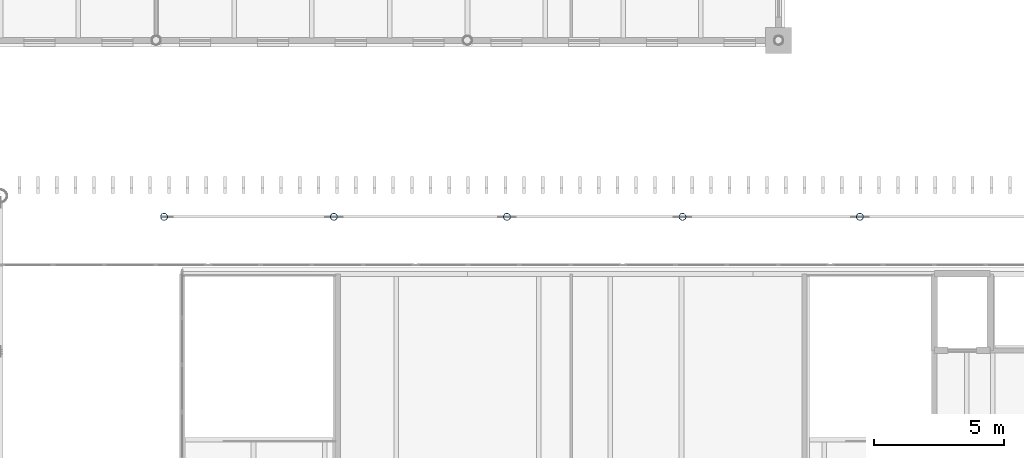
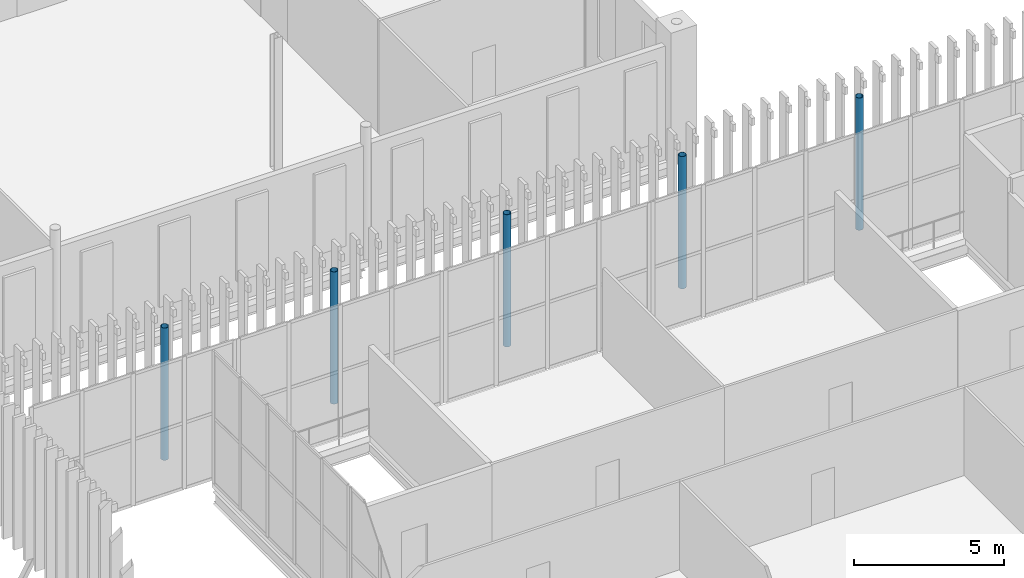
# One storey, part 19 of 170: 5 columns.
"""IFC4 building model written with IfcOpenShell, lengths in metres."""

from ifc_helpers import new_model, si_unit, direction, frame, origin, origin_2d, place, context, subcontext, project, spatial, hollow_circle, extrude, material, material_profile, profile_set, type_object, element, save


model = new_model("IFC4")

# Units and contexts
model_context = context("Model", 3, precision=1e-05, world=origin(), true_north=direction((0.0, 1.0)))
body_context = subcontext(model_context, "Body", "Model", "MODEL_VIEW")
ifc_project = project(units=[si_unit("LENGTHUNIT", "METRE"), si_unit("AREAUNIT", "SQUARE_METRE"), si_unit("VOLUMEUNIT", "CUBIC_METRE"), si_unit("PLANEANGLEUNIT", "RADIAN"), si_unit("MASSUNIT", "GRAM", prefix="KILO")], contexts=[model_context])

# Site, building, storey
site_placement = place(None, origin())
site = spatial("IfcSite", under=ifc_project, at=site_placement, CompositionType="ELEMENT")
building_placement = place(site_placement, origin())
building = spatial("IfcBuilding", under=site, at=building_placement, Name="Ravi Spectrum Wholesale Market", CompositionType="ELEMENT")
storey_placement = place(building_placement, frame((0.0, 0.0, 5.39990234375)))
storey = spatial("IfcBuildingStorey", under=building, at=storey_placement, Name="L01", CompositionType="ELEMENT", Elevation=5.39990234375)

# Columns
ifc_material = material(Name="Steel S355", Category="steel")
ifc_material_profile = material_profile(ifc_material, hollow_circle(Radius=0.136474609375, WallThickness=0.010009765625, at=origin_2d()))
ifc_profile_set = profile_set([ifc_material_profile], Name="Steel S355")
column_type = type_object("IfcColumnType", Name="CHS 273x10 column", PredefinedType="COLUMN", material=ifc_profile_set)
for number, where, z_axis, x_axis, name in (
    (1, (36.302978515625, 197.199951171875, 0.0), (0.0, 0.0, 1.0), (1.0, 0.0, 0.0), "H1-COL-L01-045"),
    (2, (42.847900390625, 197.199951171875, 0.0), (0.0, 0.0, 1.0), (1.0, 0.0, 0.0), "H1-COL-L01-046"),
    (3, (49.52197265625, 197.199951171875, 0.0), (0.0, 0.0, 1.0), (1.0, 0.0, 0.0), "H1-COL-L01-047"),
    (4, (56.293701171875, 197.199951171875, 0.0), (0.0, 0.0, 1.0), (1.0, 0.0, 0.0), "H1-COL-L01-048"),
    (5, (63.13037109375, 197.199951171875, 0.0), (0.0, 0.0, 1.0), (1.0, 0.0, 0.0), "H1-COL-L01-049"),
):
    element("IfcColumn", number, at=place(storey_placement, frame(where, z_axis=z_axis, x_axis=x_axis)), inside=storey, type_object=column_type, Name=name, PredefinedType="COLUMN", context=body_context, shape_type="SweptSolid", body=[
        extrude(hollow_circle(Radius=0.136474609375, WallThickness=0.010009765625, at=origin_2d()), origin(), (0.0, 0.0, 1.0), 5.400146484375),
    ])

save(model, "model.ifc")
